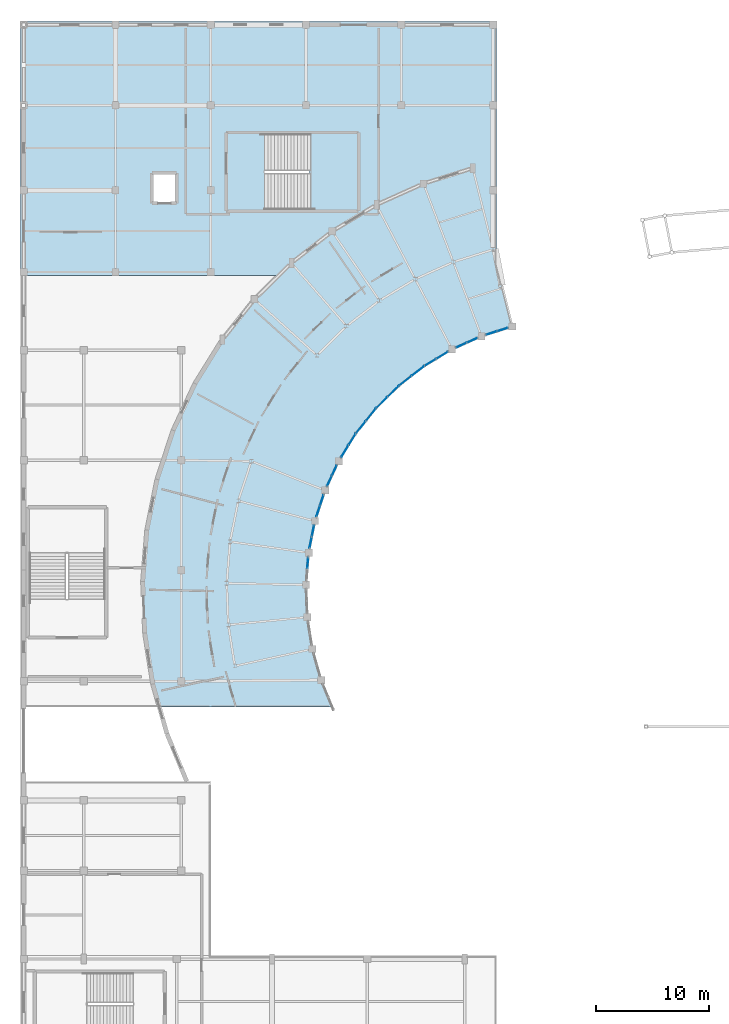
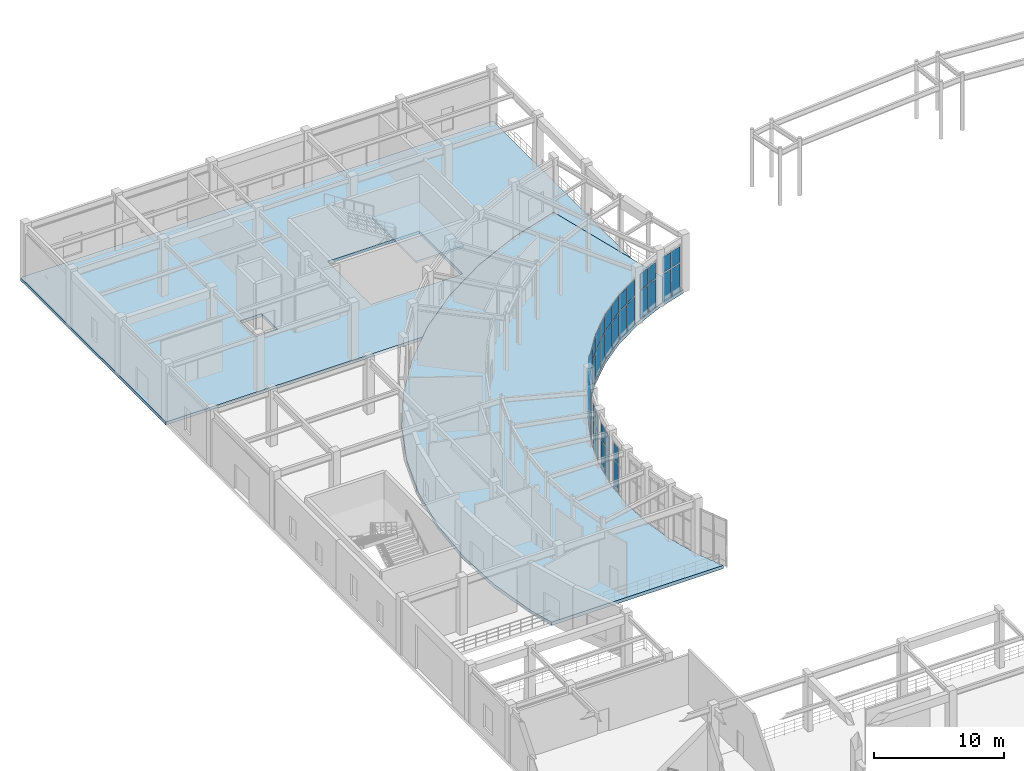
# One storey, part 44 of 93: 42 plates, 3 slabs, 12 elements without a shape of their own.
"""IFC4 building model written with IfcOpenShell, lengths in metres."""

from ifc_helpers import new_model, si_unit, direction, frame, origin, origin_2d, place, context, subcontext, project, spatial, polyline, rectangle, outline, extrude, material, layer, layer_set, type_object, element, aggregate, save


model = new_model("IFC4")

# Units and contexts
model_context = context("Model", 3, precision=1e-05, world=origin(), true_north=direction((0.0, 1.0)))
body_context = subcontext(model_context, "Body", "Model", "MODEL_VIEW")
ifc_project = project(units=[si_unit("LENGTHUNIT", "METRE"), si_unit("AREAUNIT", "SQUARE_METRE"), si_unit("VOLUMEUNIT", "CUBIC_METRE"), si_unit("PLANEANGLEUNIT", "RADIAN"), si_unit("MASSUNIT", "GRAM", prefix="KILO")], contexts=[model_context])

# Site, building, storey
site_placement = place(None, origin())
site = spatial("IfcSite", under=ifc_project, at=site_placement, CompositionType="ELEMENT")
building_placement = place(site_placement, origin())
building = spatial("IfcBuilding", under=site, at=building_placement, Name="Cinderbank Siding Concert Hall", CompositionType="ELEMENT")
storey_placement = place(building_placement, origin())
storey = spatial("IfcBuildingStorey", under=building, at=storey_placement, Name="L01", CompositionType="ELEMENT", Elevation=0.0)

# Curtain wall, plates
ifc_material_1 = material(Name="Anodised aluminium alloy 6063-T6", Category="aluminium")
curtain_wall_type_1 = type_object("IfcCurtainWallType", Name="CW-14 Unitised Acoustic Curtain Wall 4200x3800", PredefinedType="NOTDEFINED", material=ifc_material_1)
curtain_wall_1_placement = place(storey_placement, origin())
curtain_wall_1 = element("IfcCurtainWall", 1, at=curtain_wall_1_placement, inside=storey, type_object=curtain_wall_type_1, Name="L01 Curtain Wall CW-14 #96", PredefinedType="NOTDEFINED")
ifc_material_2 = material(Name="Double-glazed laminated acoustic glass", Category="glass")
ifc_layer_1 = layer(ifc_material_2, 0.035888671875)
ifc_layer_set_1 = layer_set([ifc_layer_1], Name="Double-glazed laminated acoustic glass")
plate_type_1 = type_object("IfcPlateType", Name="CP-01 Glazed Curtain Panel 1800x2200", PredefinedType="CURTAIN_PANEL", material=ifc_layer_set_1)
plate_1_placement = place(storey_placement, frame((41.87841796875, 87.366455078125, 0.1201171875), z_axis=(0.0, 0.0, 1.0), x_axis=(-0.790161124037, -0.612899174466, 0.0)))
plate_1 = element("IfcPlate", 2, at=plate_1_placement, type_object=plate_type_1, Name="CW-L01-096 Glazed Panel 0-0", PredefinedType="CURTAIN_PANEL", context=body_context, shape_type="SweptSolid", body=[
    extrude(rectangle(XDim=1.3232421875, YDim=0.035888671875, at=origin_2d()), origin(), (0.0, 0.0, 1.0), 2.548095703125),
])
plate_2_placement = place(storey_placement, frame((41.87841796875, 87.366455078125, 2.7880859375), z_axis=(0.0, 0.0, 1.0), x_axis=(-0.790161124037, -0.612899174466, 0.0)))
plate_2 = element("IfcPlate", 3, at=plate_2_placement, type_object=plate_type_1, Name="CW-L01-096 Glazed Panel 0-1", PredefinedType="CURTAIN_PANEL", context=body_context, shape_type="SweptSolid", body=[
    extrude(rectangle(XDim=1.3232421875, YDim=0.035888671875, at=origin_2d()), origin(), (0.0, 0.0, 1.0), 1.491943359375),
])
plate_3_placement = place(storey_placement, frame((40.75390625, 86.494140625, 0.1201171875), z_axis=(0.0, 0.0, 1.0), x_axis=(-0.790161124037, -0.612899174466, 0.0)))
plate_3 = element("IfcPlate", 4, at=plate_3_placement, type_object=plate_type_1, Name="CW-L01-096 Glazed Panel 1-0", PredefinedType="CURTAIN_PANEL", context=body_context, shape_type="SweptSolid", body=[
    extrude(rectangle(XDim=1.3232421875, YDim=0.035888671875, at=origin_2d()), origin(), (0.0, 0.0, 1.0), 2.548095703125),
])
plate_4_placement = place(storey_placement, frame((40.75390625, 86.494140625, 2.7880859375), z_axis=(0.0, 0.0, 1.0), x_axis=(-0.790161124037, -0.612899174466, 0.0)))
plate_4 = element("IfcPlate", 5, at=plate_4_placement, type_object=plate_type_1, Name="CW-L01-096 Glazed Panel 1-1", PredefinedType="CURTAIN_PANEL", context=body_context, shape_type="SweptSolid", body=[
    extrude(rectangle(XDim=1.3232421875, YDim=0.035888671875, at=origin_2d()), origin(), (0.0, 0.0, 1.0), 1.491943359375),
])
aggregate(curtain_wall_1, [plate_1, plate_2, plate_3, plate_4])

curtain_wall_type_2 = type_object("IfcCurtainWallType", Name="CW-13 Unitised Acoustic Curtain Wall 4200x4400", PredefinedType="NOTDEFINED", material=ifc_material_1)
curtain_wall_2_placement = place(storey_placement, origin())
curtain_wall_2 = element("IfcCurtainWall", 6, at=curtain_wall_2_placement, inside=storey, type_object=curtain_wall_type_2, Name="L01 Curtain Wall CW-13 #97", PredefinedType="NOTDEFINED")
ifc_layer_2 = layer(ifc_material_2, 0.035888671875)
ifc_layer_set_2 = layer_set([ifc_layer_2], Name="Double-glazed laminated acoustic glass")
plate_type_2 = type_object("IfcPlateType", Name="CP-02 Glazed Curtain Panel 1800x1900", PredefinedType="CURTAIN_PANEL", material=ifc_layer_set_2)
plate_5_placement = place(storey_placement, frame((39.684814453125, 85.558349609375, 0.1201171875), z_axis=(0.0, 0.0, 1.0), x_axis=(-0.712024905281, -0.702154209743, 0.0)))
plate_5 = element("IfcPlate", 7, at=plate_5_placement, type_object=plate_type_2, Name="CW-L01-097 Glazed Panel 0-0", PredefinedType="CURTAIN_PANEL", context=body_context, shape_type="SweptSolid", body=[
    extrude(rectangle(XDim=1.323486328125, YDim=0.035888671875, at=origin_2d()), origin(), (0.0, 0.0, 1.0), 2.548095703125),
])
plate_6_placement = place(storey_placement, frame((39.684814453125, 85.558349609375, 2.7880859375), z_axis=(0.0, 0.0, 1.0), x_axis=(-0.712024905281, -0.702154209743, 0.0)))
plate_6 = element("IfcPlate", 8, at=plate_6_placement, type_object=plate_type_2, Name="CW-L01-097 Glazed Panel 0-1", PredefinedType="CURTAIN_PANEL", context=body_context, shape_type="SweptSolid", body=[
    extrude(rectangle(XDim=1.323486328125, YDim=0.035888671875, at=origin_2d()), origin(), (0.0, 0.0, 1.0), 1.491943359375),
])
plate_7_placement = place(storey_placement, frame((38.67138671875, 84.558837890625, 0.1201171875), z_axis=(0.0, 0.0, 1.0), x_axis=(-0.712024905281, -0.702154209743, 0.0)))
plate_7 = element("IfcPlate", 9, at=plate_7_placement, type_object=plate_type_2, Name="CW-L01-097 Glazed Panel 1-0", PredefinedType="CURTAIN_PANEL", context=body_context, shape_type="SweptSolid", body=[
    extrude(rectangle(XDim=1.323486328125, YDim=0.035888671875, at=origin_2d()), origin(), (0.0, 0.0, 1.0), 2.548095703125),
])
plate_8_placement = place(storey_placement, frame((38.67138671875, 84.558837890625, 2.7880859375), z_axis=(0.0, 0.0, 1.0), x_axis=(-0.712024905281, -0.702154209743, 0.0)))
plate_8 = element("IfcPlate", 10, at=plate_8_placement, type_object=plate_type_2, Name="CW-L01-097 Glazed Panel 1-1", PredefinedType="CURTAIN_PANEL", context=body_context, shape_type="SweptSolid", body=[
    extrude(rectangle(XDim=1.323486328125, YDim=0.035888671875, at=origin_2d()), origin(), (0.0, 0.0, 1.0), 1.491943359375),
])
aggregate(curtain_wall_2, [plate_5, plate_6, plate_7, plate_8])

curtain_wall_3_placement = place(storey_placement, origin())
curtain_wall_3 = element("IfcCurtainWall", 11, at=curtain_wall_3_placement, inside=storey, type_object=curtain_wall_type_1, Name="L01 Curtain Wall CW-14 #98", PredefinedType="NOTDEFINED")
ifc_layer_3 = layer(ifc_material_2, 0.035888671875)
ifc_layer_set_3 = layer_set([ifc_layer_3], Name="Double-glazed laminated acoustic glass")
plate_type_3 = type_object("IfcPlateType", Name="CP-03 Glazed Curtain Panel 1600x2100", PredefinedType="CURTAIN_PANEL", material=ifc_layer_set_3)
plate_9_placement = place(storey_placement, frame((37.720458984375, 83.5029296875, 0.1201171875), z_axis=(0.0, 0.0, 1.0), x_axis=(-0.62388932091, -0.781512709592, 0.0)))
plate_9 = element("IfcPlate", 12, at=plate_9_placement, type_object=plate_type_3, Name="CW-L01-098 Glazed Panel 0-0", PredefinedType="CURTAIN_PANEL", context=body_context, shape_type="SweptSolid", body=[
    extrude(rectangle(XDim=1.3232421875, YDim=0.035888671875, at=origin_2d()), origin(), (0.0, 0.0, 1.0), 2.548095703125),
])
plate_10_placement = place(storey_placement, frame((37.720458984375, 83.5029296875, 2.7880859375), z_axis=(0.0, 0.0, 1.0), x_axis=(-0.62388932091, -0.781512709592, 0.0)))
plate_10 = element("IfcPlate", 13, at=plate_10_placement, type_object=plate_type_3, Name="CW-L01-098 Glazed Panel 0-1", PredefinedType="CURTAIN_PANEL", context=body_context, shape_type="SweptSolid", body=[
    extrude(rectangle(XDim=1.3232421875, YDim=0.035888671875, at=origin_2d()), origin(), (0.0, 0.0, 1.0), 1.491943359375),
])
plate_11_placement = place(storey_placement, frame((36.83251953125, 82.390625, 0.1201171875), z_axis=(0.0, 0.0, 1.0), x_axis=(-0.62388932091, -0.781512709592, 0.0)))
plate_11 = element("IfcPlate", 14, at=plate_11_placement, type_object=plate_type_3, Name="CW-L01-098 Glazed Panel 1-0", PredefinedType="CURTAIN_PANEL", context=body_context, shape_type="SweptSolid", body=[
    extrude(rectangle(XDim=1.3232421875, YDim=0.035888671875, at=origin_2d()), origin(), (0.0, 0.0, 1.0), 2.548095703125),
])
plate_12_placement = place(storey_placement, frame((36.83251953125, 82.390625, 2.7880859375), z_axis=(0.0, 0.0, 1.0), x_axis=(-0.62388932091, -0.781512709592, 0.0)))
plate_12 = element("IfcPlate", 15, at=plate_12_placement, type_object=plate_type_3, Name="CW-L01-098 Glazed Panel 1-1", PredefinedType="CURTAIN_PANEL", context=body_context, shape_type="SweptSolid", body=[
    extrude(rectangle(XDim=1.3232421875, YDim=0.035888671875, at=origin_2d()), origin(), (0.0, 0.0, 1.0), 1.491943359375),
])
aggregate(curtain_wall_3, [plate_9, plate_10, plate_11, plate_12])

curtain_wall_4_placement = place(storey_placement, origin())
curtain_wall_4 = element("IfcCurtainWall", 16, at=curtain_wall_4_placement, inside=storey, type_object=curtain_wall_type_2, Name="L01 Curtain Wall CW-13 #99", PredefinedType="NOTDEFINED")
ifc_layer_4 = layer(ifc_material_2, 0.031982421875)
ifc_layer_set_4 = layer_set([ifc_layer_4], Name="Double-glazed laminated acoustic glass")
plate_type_4 = type_object("IfcPlateType", Name="CP-04 Glazed Curtain Panel 1400x2000", PredefinedType="CURTAIN_PANEL", material=ifc_layer_set_4)
plate_13_placement = place(storey_placement, frame((36.06494140625, 81.3125, 0.1201171875), z_axis=(0.0, 0.0, 1.0), x_axis=(-0.526957938243, -0.849891364424, 0.0)))
plate_13 = element("IfcPlate", 17, at=plate_13_placement, type_object=plate_type_4, Name="CW-L01-099 Glazed Panel 0-0", PredefinedType="CURTAIN_PANEL", context=body_context, shape_type="SweptSolid", body=[
    extrude(rectangle(XDim=1.12841796875, YDim=0.035888671875, at=origin_2d()), origin(), (0.0, 0.0, 1.0), 2.548095703125),
])
plate_14_placement = place(storey_placement, frame((36.06494140625, 81.3125, 2.7880859375), z_axis=(0.0, 0.0, 1.0), x_axis=(-0.526957938243, -0.849891364424, 0.0)))
plate_14 = element("IfcPlate", 18, at=plate_14_placement, type_object=plate_type_4, Name="CW-L01-099 Glazed Panel 0-1", PredefinedType="CURTAIN_PANEL", context=body_context, shape_type="SweptSolid", body=[
    extrude(rectangle(XDim=1.12841796875, YDim=0.035888671875, at=origin_2d()), origin(), (0.0, 0.0, 1.0), 1.491943359375),
])
plate_15_placement = place(storey_placement, frame((35.41748046875, 80.268310546875, 0.1201171875), z_axis=(0.0, 0.0, 1.0), x_axis=(-0.526957938243, -0.849891364424, 0.0)))
plate_15 = element("IfcPlate", 19, at=plate_15_placement, type_object=plate_type_4, Name="CW-L01-099 Glazed Panel 1-0", PredefinedType="CURTAIN_PANEL", context=body_context, shape_type="SweptSolid", body=[
    extrude(rectangle(XDim=1.12841796875, YDim=0.035888671875, at=origin_2d()), origin(), (0.0, 0.0, 1.0), 2.548095703125),
])
plate_16_placement = place(storey_placement, frame((35.41748046875, 80.268310546875, 2.7880859375), z_axis=(0.0, 0.0, 1.0), x_axis=(-0.526957938243, -0.849891364424, 0.0)))
plate_16 = element("IfcPlate", 20, at=plate_16_placement, type_object=plate_type_4, Name="CW-L01-099 Glazed Panel 1-1", PredefinedType="CURTAIN_PANEL", context=body_context, shape_type="SweptSolid", body=[
    extrude(rectangle(XDim=1.12841796875, YDim=0.035888671875, at=origin_2d()), origin(), (0.0, 0.0, 1.0), 1.491943359375),
])
aggregate(curtain_wall_4, [plate_13, plate_14, plate_15, plate_16])

curtain_wall_5_placement = place(storey_placement, origin())
curtain_wall_5 = element("IfcCurtainWall", 21, at=curtain_wall_5_placement, inside=storey, type_object=curtain_wall_type_1, Name="L01 Curtain Wall CW-14 #100", PredefinedType="NOTDEFINED")
ifc_layer_5 = layer(ifc_material_2, 0.031982421875)
ifc_layer_set_5 = layer_set([ifc_layer_5], Name="Double-glazed laminated acoustic glass")
plate_type_5 = type_object("IfcPlateType", Name="CP-05 Glazed Curtain Panel 1200x1800", PredefinedType="CURTAIN_PANEL", material=ifc_layer_set_5)
plate_17_placement = place(storey_placement, frame((34.505126953125, 78.59326171875, 0.1201171875), z_axis=(0.0, 0.0, 1.0), x_axis=(-0.422596979175, -0.906317710956, 0.0)))
plate_17 = element("IfcPlate", 22, at=plate_17_placement, type_object=plate_type_5, Name="CW-L01-100 Glazed Panel 0-0", PredefinedType="CURTAIN_PANEL", context=body_context, shape_type="SweptSolid", body=[
    extrude(rectangle(XDim=0.933349609375, YDim=0.035888671875, at=origin_2d()), origin(), (0.0, 0.0, 1.0), 2.548095703125),
])
plate_18_placement = place(storey_placement, frame((34.505126953125, 78.59326171875, 2.7880859375), z_axis=(0.0, 0.0, 1.0), x_axis=(-0.422596979175, -0.906317710956, 0.0)))
plate_18 = element("IfcPlate", 23, at=plate_18_placement, type_object=plate_type_5, Name="CW-L01-100 Glazed Panel 0-1", PredefinedType="CURTAIN_PANEL", context=body_context, shape_type="SweptSolid", body=[
    extrude(rectangle(XDim=0.933349609375, YDim=0.035888671875, at=origin_2d()), origin(), (0.0, 0.0, 1.0), 1.491943359375),
])
plate_19_placement = place(storey_placement, frame((34.068603515625, 77.65673828125, 0.1201171875), z_axis=(0.0, 0.0, 1.0), x_axis=(-0.422596979175, -0.906317710956, 0.0)))
plate_19 = element("IfcPlate", 24, at=plate_19_placement, type_object=plate_type_5, Name="CW-L01-100 Glazed Panel 1-0", PredefinedType="CURTAIN_PANEL", context=body_context, shape_type="SweptSolid", body=[
    extrude(rectangle(XDim=0.933349609375, YDim=0.035888671875, at=origin_2d()), origin(), (0.0, 0.0, 1.0), 2.548095703125),
])
plate_20_placement = place(storey_placement, frame((34.068603515625, 77.65673828125, 2.7880859375), z_axis=(0.0, 0.0, 1.0), x_axis=(-0.422596979175, -0.906317710956, 0.0)))
plate_20 = element("IfcPlate", 25, at=plate_20_placement, type_object=plate_type_5, Name="CW-L01-100 Glazed Panel 1-1", PredefinedType="CURTAIN_PANEL", context=body_context, shape_type="SweptSolid", body=[
    extrude(rectangle(XDim=0.933349609375, YDim=0.035888671875, at=origin_2d()), origin(), (0.0, 0.0, 1.0), 1.491943359375),
])
aggregate(curtain_wall_5, [plate_17, plate_18, plate_19, plate_20])

curtain_wall_6_placement = place(storey_placement, origin())
curtain_wall_6 = element("IfcCurtainWall", 26, at=curtain_wall_6_placement, inside=storey, type_object=curtain_wall_type_2, Name="L01 Curtain Wall CW-13 #93", PredefinedType="NOTDEFINED")
ifc_layer_6 = layer(ifc_material_2, 0.0380859375)
ifc_layer_set_6 = layer_set([ifc_layer_6], Name="Double-glazed laminated acoustic glass")
plate_type_6 = type_object("IfcPlateType", Name="CP-06 Glazed Curtain Panel 2100x1600", PredefinedType="CURTAIN_PANEL", material=ifc_layer_set_6)
plate_21_placement = place(storey_placement, frame((49.32861328125, 91.01611328125, 0.1201171875), z_axis=(0.0, 0.0, 1.0), x_axis=(-0.954240278145, -0.29904095299, 0.0)))
plate_21 = element("IfcPlate", 27, at=plate_21_placement, type_object=plate_type_6, Name="CW-L01-093 Glazed Panel 0-0", PredefinedType="CURTAIN_PANEL", context=body_context, shape_type="SweptSolid", body=[
    extrude(rectangle(XDim=0.933349609375, YDim=0.035888671875, at=origin_2d()), origin(), (0.0, 0.0, 1.0), 2.548095703125),
])
plate_22_placement = place(storey_placement, frame((49.32861328125, 91.01611328125, 2.7880859375), z_axis=(0.0, 0.0, 1.0), x_axis=(-0.954240278145, -0.29904095299, 0.0)))
plate_22 = element("IfcPlate", 28, at=plate_22_placement, type_object=plate_type_6, Name="CW-L01-093 Glazed Panel 0-1", PredefinedType="CURTAIN_PANEL", context=body_context, shape_type="SweptSolid", body=[
    extrude(rectangle(XDim=0.933349609375, YDim=0.035888671875, at=origin_2d()), origin(), (0.0, 0.0, 1.0), 1.491943359375),
])
plate_23_placement = place(storey_placement, frame((48.342529296875, 90.706787109375, 0.1201171875), z_axis=(0.0, 0.0, 1.0), x_axis=(-0.954240278145, -0.29904095299, 0.0)))
plate_23 = element("IfcPlate", 29, at=plate_23_placement, type_object=plate_type_6, Name="CW-L01-093 Glazed Panel 1-0", PredefinedType="CURTAIN_PANEL", context=body_context, shape_type="SweptSolid", body=[
    extrude(rectangle(XDim=0.933349609375, YDim=0.035888671875, at=origin_2d()), origin(), (0.0, 0.0, 1.0), 2.548095703125),
])
plate_24_placement = place(storey_placement, frame((48.342529296875, 90.706787109375, 2.7880859375), z_axis=(0.0, 0.0, 1.0), x_axis=(-0.954240278145, -0.29904095299, 0.0)))
plate_24 = element("IfcPlate", 30, at=plate_24_placement, type_object=plate_type_6, Name="CW-L01-093 Glazed Panel 1-1", PredefinedType="CURTAIN_PANEL", context=body_context, shape_type="SweptSolid", body=[
    extrude(rectangle(XDim=0.933349609375, YDim=0.035888671875, at=origin_2d()), origin(), (0.0, 0.0, 1.0), 1.491943359375),
])
aggregate(curtain_wall_6, [plate_21, plate_22, plate_23, plate_24])

curtain_wall_7_placement = place(storey_placement, origin())
curtain_wall_7 = element("IfcCurtainWall", 31, at=curtain_wall_7_placement, inside=storey, type_object=curtain_wall_type_2, Name="L01 Curtain Wall CW-13 #101", PredefinedType="NOTDEFINED")
plate_25_placement = place(storey_placement, frame((33.402099609375, 75.9736328125, 0.1201171875), z_axis=(0.0, 0.0, 1.0), x_axis=(-0.312357553034, -0.949964609374, 0.0)))
plate_25 = element("IfcPlate", 32, at=plate_25_placement, type_object=plate_type_6, Name="CW-L01-101 Glazed Panel 0-0", PredefinedType="CURTAIN_PANEL", context=body_context, shape_type="SweptSolid", body=[
    extrude(rectangle(XDim=0.933349609375, YDim=0.035888671875, at=origin_2d()), origin(), (0.0, 0.0, 1.0), 2.548095703125),
])
plate_26_placement = place(storey_placement, frame((33.402099609375, 75.9736328125, 2.7880859375), z_axis=(0.0, 0.0, 1.0), x_axis=(-0.312357553034, -0.949964609374, 0.0)))
plate_26 = element("IfcPlate", 33, at=plate_26_placement, type_object=plate_type_6, Name="CW-L01-101 Glazed Panel 0-1", PredefinedType="CURTAIN_PANEL", context=body_context, shape_type="SweptSolid", body=[
    extrude(rectangle(XDim=0.933349609375, YDim=0.035888671875, at=origin_2d()), origin(), (0.0, 0.0, 1.0), 1.491943359375),
])
plate_27_placement = place(storey_placement, frame((33.079345703125, 74.991943359375, 0.1201171875), z_axis=(0.0, 0.0, 1.0), x_axis=(-0.312357553034, -0.949964609374, 0.0)))
plate_27 = element("IfcPlate", 34, at=plate_27_placement, type_object=plate_type_6, Name="CW-L01-101 Glazed Panel 1-0", PredefinedType="CURTAIN_PANEL", context=body_context, shape_type="SweptSolid", body=[
    extrude(rectangle(XDim=0.933349609375, YDim=0.035888671875, at=origin_2d()), origin(), (0.0, 0.0, 1.0), 2.548095703125),
])
plate_28_placement = place(storey_placement, frame((33.079345703125, 74.991943359375, 2.7880859375), z_axis=(0.0, 0.0, 1.0), x_axis=(-0.312357553034, -0.949964609374, 0.0)))
plate_28 = element("IfcPlate", 35, at=plate_28_placement, type_object=plate_type_6, Name="CW-L01-101 Glazed Panel 1-1", PredefinedType="CURTAIN_PANEL", context=body_context, shape_type="SweptSolid", body=[
    extrude(rectangle(XDim=0.933349609375, YDim=0.035888671875, at=origin_2d()), origin(), (0.0, 0.0, 1.0), 1.491943359375),
])
aggregate(curtain_wall_7, [plate_25, plate_26, plate_27, plate_28])

curtain_wall_8_placement = place(storey_placement, origin())
curtain_wall_8 = element("IfcCurtainWall", 36, at=curtain_wall_8_placement, inside=storey, type_object=curtain_wall_type_1, Name="L01 Curtain Wall CW-14 #94", PredefinedType="NOTDEFINED")
ifc_layer_7 = layer(ifc_material_2, 0.033935546875)
ifc_layer_set_7 = layer_set([ifc_layer_7], Name="Double-glazed laminated acoustic glass")
plate_type_7 = type_object("IfcPlateType", Name="CP-07 Glazed Curtain Panel 1500x1750", PredefinedType="CURTAIN_PANEL", material=ifc_layer_set_7)
plate_29_placement = place(storey_placement, frame((46.650390625, 90.064208984375, 0.1201171875), z_axis=(0.0, 0.0, 1.0), x_axis=(-0.912121872087, -0.409919126731, 0.0)))
plate_29 = element("IfcPlate", 37, at=plate_29_placement, type_object=plate_type_7, Name="CW-L01-094 Glazed Panel 0-0", PredefinedType="CURTAIN_PANEL", context=body_context, shape_type="SweptSolid", body=[
    extrude(rectangle(XDim=0.933349609375, YDim=0.035888671875, at=origin_2d()), origin(), (0.0, 0.0, 1.0), 2.548095703125),
])
plate_30_placement = place(storey_placement, frame((46.650390625, 90.064208984375, 2.7880859375), z_axis=(0.0, 0.0, 1.0), x_axis=(-0.912121872087, -0.409919126731, 0.0)))
plate_30 = element("IfcPlate", 38, at=plate_30_placement, type_object=plate_type_7, Name="CW-L01-094 Glazed Panel 0-1", PredefinedType="CURTAIN_PANEL", context=body_context, shape_type="SweptSolid", body=[
    extrude(rectangle(XDim=0.933349609375, YDim=0.035888671875, at=origin_2d()), origin(), (0.0, 0.0, 1.0), 1.491943359375),
])
plate_31_placement = place(storey_placement, frame((45.7080078125, 89.640625, 0.1201171875), z_axis=(0.0, 0.0, 1.0), x_axis=(-0.912121872087, -0.409919126731, 0.0)))
plate_31 = element("IfcPlate", 39, at=plate_31_placement, type_object=plate_type_7, Name="CW-L01-094 Glazed Panel 1-0", PredefinedType="CURTAIN_PANEL", context=body_context, shape_type="SweptSolid", body=[
    extrude(rectangle(XDim=0.933349609375, YDim=0.035888671875, at=origin_2d()), origin(), (0.0, 0.0, 1.0), 2.548095703125),
])
plate_32_placement = place(storey_placement, frame((45.7080078125, 89.640625, 2.7880859375), z_axis=(0.0, 0.0, 1.0), x_axis=(-0.912121872087, -0.409919126731, 0.0)))
plate_32 = element("IfcPlate", 40, at=plate_32_placement, type_object=plate_type_7, Name="CW-L01-094 Glazed Panel 1-1", PredefinedType="CURTAIN_PANEL", context=body_context, shape_type="SweptSolid", body=[
    extrude(rectangle(XDim=0.933349609375, YDim=0.035888671875, at=origin_2d()), origin(), (0.0, 0.0, 1.0), 1.491943359375),
])
aggregate(curtain_wall_8, [plate_29, plate_30, plate_31, plate_32])

curtain_wall_9_placement = place(storey_placement, origin())
curtain_wall_9 = element("IfcCurtainWall", 41, at=curtain_wall_9_placement, inside=storey, type_object=curtain_wall_type_1, Name="L01 Curtain Wall CW-14 #102", PredefinedType="NOTDEFINED")
plate_33_placement = place(storey_placement, frame((32.616943359375, 73.241943359375, 0.1201171875), z_axis=(0.0, 0.0, 1.0), x_axis=(-0.197635905492, -0.980275496409, 0.0)))
plate_33 = element("IfcPlate", 42, at=plate_33_placement, type_object=plate_type_7, Name="CW-L01-102 Glazed Panel 0-0", PredefinedType="CURTAIN_PANEL", context=body_context, shape_type="SweptSolid", body=[
    extrude(rectangle(XDim=0.933349609375, YDim=0.035888671875, at=origin_2d()), origin(), (0.0, 0.0, 1.0), 2.548095703125),
])
plate_34_placement = place(storey_placement, frame((32.616943359375, 73.241943359375, 2.7880859375), z_axis=(0.0, 0.0, 1.0), x_axis=(-0.197635905492, -0.980275496409, 0.0)))
plate_34 = element("IfcPlate", 43, at=plate_34_placement, type_object=plate_type_7, Name="CW-L01-102 Glazed Panel 0-1", PredefinedType="CURTAIN_PANEL", context=body_context, shape_type="SweptSolid", body=[
    extrude(rectangle(XDim=0.933349609375, YDim=0.035888671875, at=origin_2d()), origin(), (0.0, 0.0, 1.0), 1.491943359375),
])
plate_35_placement = place(storey_placement, frame((32.412841796875, 72.22900390625, 0.1201171875), z_axis=(0.0, 0.0, 1.0), x_axis=(-0.197635905492, -0.980275496409, 0.0)))
plate_35 = element("IfcPlate", 44, at=plate_35_placement, type_object=plate_type_7, Name="CW-L01-102 Glazed Panel 1-0", PredefinedType="CURTAIN_PANEL", context=body_context, shape_type="SweptSolid", body=[
    extrude(rectangle(XDim=0.933349609375, YDim=0.035888671875, at=origin_2d()), origin(), (0.0, 0.0, 1.0), 2.548095703125),
])
plate_36_placement = place(storey_placement, frame((32.412841796875, 72.22900390625, 2.7880859375), z_axis=(0.0, 0.0, 1.0), x_axis=(-0.197635905492, -0.980275496409, 0.0)))
plate_36 = element("IfcPlate", 45, at=plate_36_placement, type_object=plate_type_7, Name="CW-L01-102 Glazed Panel 1-1", PredefinedType="CURTAIN_PANEL", context=body_context, shape_type="SweptSolid", body=[
    extrude(rectangle(XDim=0.933349609375, YDim=0.035888671875, at=origin_2d()), origin(), (0.0, 0.0, 1.0), 1.491943359375),
])
aggregate(curtain_wall_9, [plate_33, plate_34, plate_35, plate_36])

curtain_wall_10_placement = place(storey_placement, origin())
curtain_wall_10 = element("IfcCurtainWall", 46, at=curtain_wall_10_placement, inside=storey, type_object=curtain_wall_type_2, Name="L01 Curtain Wall CW-13 #95", PredefinedType="NOTDEFINED")
ifc_layer_8 = layer(ifc_material_2, 0.033935546875)
ifc_layer_set_8 = layer_set([ifc_layer_8], Name="Double-glazed laminated acoustic glass")
plate_type_8 = type_object("IfcPlateType", Name="CP-08 Glazed Curtain Panel 1700x1550", PredefinedType="CURTAIN_PANEL", material=ifc_layer_set_8)
plate_37_placement = place(storey_placement, frame((44.020263671875, 88.751708984375, 0.1201171875), z_axis=(0.0, 0.0, 1.0), x_axis=(-0.857161096841, -0.515048399727, 0.0)))
plate_37 = element("IfcPlate", 47, at=plate_37_placement, type_object=plate_type_8, Name="CW-L01-095 Glazed Panel 0-0", PredefinedType="CURTAIN_PANEL", context=body_context, shape_type="SweptSolid", body=[
    extrude(rectangle(XDim=1.12841796875, YDim=0.035888671875, at=origin_2d()), origin(), (0.0, 0.0, 1.0), 2.548095703125),
])
plate_38_placement = place(storey_placement, frame((44.020263671875, 88.751708984375, 2.7880859375), z_axis=(0.0, 0.0, 1.0), x_axis=(-0.857161096841, -0.515048399727, 0.0)))
plate_38 = element("IfcPlate", 48, at=plate_38_placement, type_object=plate_type_8, Name="CW-L01-095 Glazed Panel 0-1", PredefinedType="CURTAIN_PANEL", context=body_context, shape_type="SweptSolid", body=[
    extrude(rectangle(XDim=1.12841796875, YDim=0.035888671875, at=origin_2d()), origin(), (0.0, 0.0, 1.0), 1.491943359375),
])
plate_39_placement = place(storey_placement, frame((42.96728515625, 88.118896484375, 0.1201171875), z_axis=(0.0, 0.0, 1.0), x_axis=(-0.857161096841, -0.515048399727, 0.0)))
plate_39 = element("IfcPlate", 49, at=plate_39_placement, type_object=plate_type_8, Name="CW-L01-095 Glazed Panel 1-0", PredefinedType="CURTAIN_PANEL", context=body_context, shape_type="SweptSolid", body=[
    extrude(rectangle(XDim=1.12841796875, YDim=0.035888671875, at=origin_2d()), origin(), (0.0, 0.0, 1.0), 2.548095703125),
])
plate_40_placement = place(storey_placement, frame((42.96728515625, 88.118896484375, 2.7880859375), z_axis=(0.0, 0.0, 1.0), x_axis=(-0.857161096841, -0.515048399727, 0.0)))
plate_40 = element("IfcPlate", 50, at=plate_40_placement, type_object=plate_type_8, Name="CW-L01-095 Glazed Panel 1-1", PredefinedType="CURTAIN_PANEL", context=body_context, shape_type="SweptSolid", body=[
    extrude(rectangle(XDim=1.12841796875, YDim=0.035888671875, at=origin_2d()), origin(), (0.0, 0.0, 1.0), 1.491943359375),
])
aggregate(curtain_wall_10, [plate_37, plate_38, plate_39, plate_40])

curtain_wall_11_placement = place(storey_placement, origin())
curtain_wall_11 = element("IfcCurtainWall", 51, at=curtain_wall_11_placement, inside=storey, type_object=curtain_wall_type_2, Name="L01 Curtain Wall CW-13 #103", PredefinedType="NOTDEFINED")
plate_41_placement = place(storey_placement, frame((32.160888671875, 70.436279296875, 0.1201171875), z_axis=(0.0, 0.0, 1.0), x_axis=(-0.0801961758, -0.996779099594, 0.0)))
plate_41 = element("IfcPlate", 52, at=plate_41_placement, type_object=plate_type_8, Name="CW-L01-103 Glazed Panel 0-0", PredefinedType="CURTAIN_PANEL", context=body_context, shape_type="SweptSolid", body=[
    extrude(rectangle(XDim=0.933349609375, YDim=0.035888671875, at=origin_2d()), origin(), (0.0, 0.0, 1.0), 2.548095703125),
])
plate_42_placement = place(storey_placement, frame((32.160888671875, 70.436279296875, 2.7880859375), z_axis=(0.0, 0.0, 1.0), x_axis=(-0.0801961758, -0.996779099594, 0.0)))
plate_42 = element("IfcPlate", 53, at=plate_42_placement, type_object=plate_type_8, Name="CW-L01-103 Glazed Panel 0-1", PredefinedType="CURTAIN_PANEL", context=body_context, shape_type="SweptSolid", body=[
    extrude(rectangle(XDim=0.933349609375, YDim=0.035888671875, at=origin_2d()), origin(), (0.0, 0.0, 1.0), 1.491943359375),
])
aggregate(curtain_wall_11, [plate_41, plate_42])

# Stair, slab
ifc_material_3 = material(Name="Reinforced concrete AS 3600 N50 (50 MPa)", Category="concrete")
stair_type = type_object("IfcStairType", Name="STR-L Dogleg Exit Stair 3250mm", PredefinedType="HALF_TURN_STAIR", material=ifc_material_3)
stair_placement = place(storey_placement, origin())
stair = element("IfcStair", 54, at=stair_placement, inside=storey, type_object=stair_type, Name="L01 Rehearsal Wing Exit Stair ST-05", PredefinedType="HALF_TURN_STAIR")
ifc_layer_9 = layer(ifc_material_3, 0.199951171875)
ifc_layer_set_9 = layer_set([ifc_layer_9], Name="Reinforced concrete AS 3600 N50 (50 MPa)")
slab_type_1 = type_object("IfcSlabType", Name="LD-02 Slab 200mm", PredefinedType="LANDING", material=ifc_layer_set_9)
slab_1_placement = place(storey_placement, frame((0.0, 0.0, 2.5)))
slab_1 = element("IfcSlab", 55, at=slab_1_placement, type_object=slab_type_1, Name="ST-05 landing 1", PredefinedType="LANDING", context=body_context, shape_type="SweptSolid", body=[
    extrude(outline(polyline([(32.330078125, 101.52001953125), (32.330078125, 108.340087890625), (36.580078125, 108.340087890625), (36.580078125, 101.52001953125), (32.330078125, 101.52001953125)])), origin(), (0.0, 0.0, 1.0), 0.199951171875),
])
aggregate(stair, [slab_1])

# Slabs
ifc_layer_10 = layer(ifc_material_3, 0.320068359375)
ifc_layer_set_10 = layer_set([ifc_layer_10], Name="Reinforced concrete AS 3600 N50 (50 MPa)")
slab_type_2 = type_object("IfcSlabType", Name="SL-01 Slab 320mm", PredefinedType="FLOOR", material=ifc_layer_set_10)
slab_2_placement = place(storey_placement, frame((0.0, 0.0, -0.320068359375)))
element("IfcSlab", 56, at=slab_2_placement, inside=storey, type_object=slab_type_2, Name="L01 Sweeping Rehearsal Wing Slab", PredefinedType="FLOOR", context=body_context, shape_type="SweptSolid", body=[
    extrude(outline(polyline([(50.19384765625, 91.287109375), (47.477294921875, 90.435791015625), (44.880859375, 89.268798828125), (42.44091796875, 87.802734375), (40.19140625, 86.05810546875), (38.16455078125, 84.05908203125), (36.388427734375, 81.83447265625), (34.888427734375, 79.4150390625), (33.685302734375, 76.8349609375), (32.796142578125, 74.130615234375), (32.233642578125, 71.340087890625), (32.00537109375, 68.502685546875), (32.114501953125, 65.657958984375), (32.559814453125, 62.846435546875), (33.3349609375, 60.107177734375), (34.32861328125, 57.719970703125), (19.0712890625, 57.719970703125), (18.495849609375, 59.754150390625), (17.783203125, 64.252685546875), (17.6083984375, 68.80419921875), (17.9736328125, 73.34423828125), (18.8740234375, 77.80908203125), (20.296630859375, 82.135986328125), (22.221435546875, 86.263916015625), (24.62158203125, 90.135009765625), (27.463134765625, 93.694580078125), (30.706298828125, 96.892578125), (34.305419921875, 99.684326171875), (38.20947265625, 102.0302734375), (42.364013671875, 103.897216796875), (46.710205078125, 105.259521484375), (50.19384765625, 91.287109375)])), origin(), (0.0, 0.0, 1.0), 0.320068359375),
])
ifc_layer_11 = layer(ifc_material_3, 0.280029296875)
ifc_layer_set_11 = layer_set([ifc_layer_11], Name="Reinforced concrete AS 3600 N50 (50 MPa)")
slab_type_3 = type_object("IfcSlabType", Name="SL-02 Slab 280mm", PredefinedType="FLOOR", material=ifc_layer_set_11)
slab_3_placement = place(storey_placement, frame((0.0, 0.0, -0.280029296875)))
element("IfcSlab", 57, at=slab_3_placement, inside=storey, type_object=slab_type_3, Name="L01 NW Concourse Slab", PredefinedType="FLOOR", context=body_context, shape_type="SweptSolid", body=[
    extrude(outline(polyline([(6.800048828125, 95.800048828125), (6.800048828125, 118.199951171875), (48.800048828125, 118.199951171875), (48.800048828125, 96.877685546875), (46.710205078125, 105.259521484375), (42.364013671875, 103.897216796875), (38.20947265625, 102.0302734375), (34.305419921875, 99.684326171875), (30.706298828125, 96.892578125), (29.59814453125, 95.800048828125), (6.800048828125, 95.800048828125)]), holes=[polyline([(28.35009765625, 101.60009765625), (36.5, 101.60009765625), (36.5, 108.260009765625), (28.35009765625, 108.260009765625), (28.35009765625, 101.60009765625)]), polyline([(18.5400390625, 102.2900390625), (20.4599609375, 102.2900390625), (20.4599609375, 104.7099609375), (18.5400390625, 104.7099609375), (18.5400390625, 102.2900390625)])]), origin(), (0.0, 0.0, 1.0), 0.280029296875),
])

save(model, "model.ifc")
